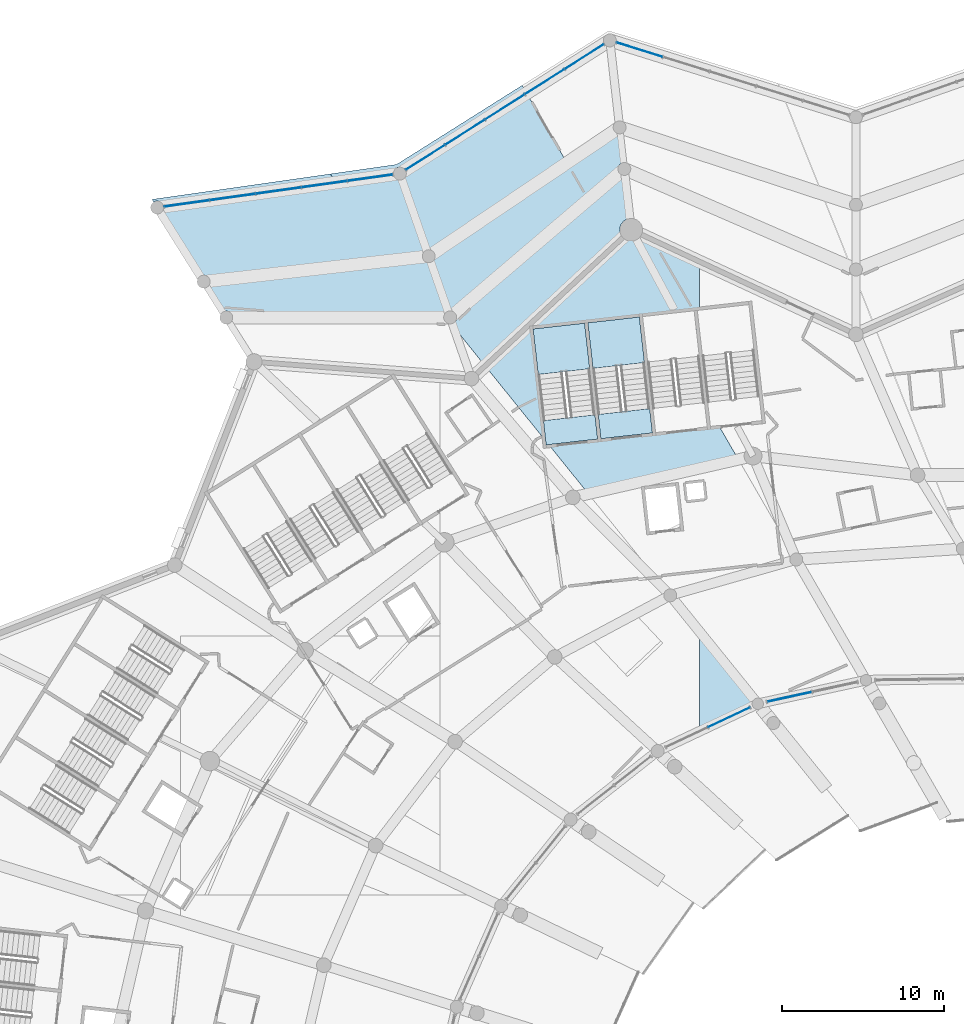
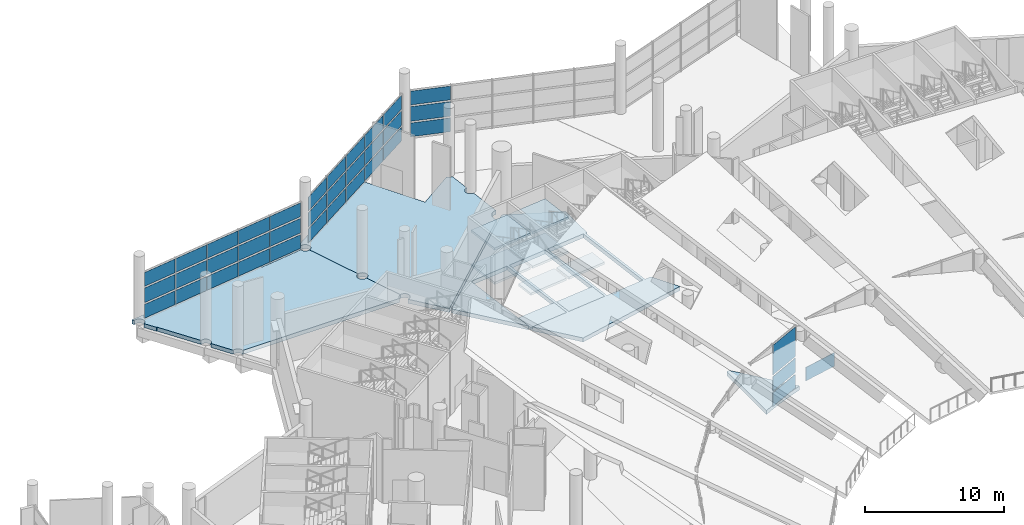
# One storey, part 123 of 249: 37 plates, 12 slabs, 7 elements without a shape of their own.
"""IFC4 building model written with IfcOpenShell, lengths in metres."""

from ifc_helpers import new_model, si_unit, direction, frame, origin, origin_2d, place, context, subcontext, project, spatial, polyline, rectangle, outline, extrude, material, layer, layer_set, type_object, element, aggregate, save


model = new_model("IFC4")

# Units and contexts
model_context = context("Model", 3, precision=1e-05, world=origin(), true_north=direction((0.0, 1.0)))
body_context = subcontext(model_context, "Body", "Model", "MODEL_VIEW")
ifc_project = project(units=[si_unit("LENGTHUNIT", "METRE"), si_unit("AREAUNIT", "SQUARE_METRE"), si_unit("VOLUMEUNIT", "CUBIC_METRE"), si_unit("PLANEANGLEUNIT", "RADIAN"), si_unit("MASSUNIT", "GRAM", prefix="KILO")], contexts=[model_context])

# Site, building, storey
site_placement = place(None, origin())
site = spatial("IfcSite", under=ifc_project, at=site_placement, CompositionType="ELEMENT")
building_placement = place(site_placement, origin())
building = spatial("IfcBuilding", under=site, at=building_placement, Name="Meseta Stadium", CompositionType="ELEMENT")
storey_placement = place(building_placement, frame((0.0, 0.0, 12.0)))
storey = spatial("IfcBuildingStorey", under=building, at=storey_placement, Name="L02", CompositionType="ELEMENT", Elevation=12.0)

# Curtain wall, plate
ifc_material_1 = material(Name="Aluminium", Category="aluminium")
ifc_layer_1 = layer(ifc_material_1, 0.199951171875)
ifc_layer_set_1 = layer_set([ifc_layer_1], Name="Suite glazing curtain wall")
curtain_wall_type_1 = type_object("IfcCurtainWallType", Name="Suite glazing curtain wall", PredefinedType="NOTDEFINED", material=ifc_layer_set_1)
curtain_wall_1_placement = place(storey_placement, origin())
curtain_wall_1 = element("IfcCurtainWall", 1, at=curtain_wall_1_placement, inside=storey, type_object=curtain_wall_type_1, Name="Suite glazing bay 22", PredefinedType="NOTDEFINED")
ifc_material_2 = material(Name="Glass", Category="glass")
ifc_layer_2 = layer(ifc_material_2, 0.035888671875)
ifc_layer_set_2 = layer_set([ifc_layer_2], Name="CW glass panel 36")
plate_type_1 = type_object("IfcPlateType", Name="CW glass panel 36", PredefinedType="CURTAIN_PANEL", material=ifc_layer_set_2)
plate_1_placement = place(storey_placement, frame((-42.43603515625, 76.232177734375, 0.14990234375), z_axis=(0.0, 0.0, 1.0), x_axis=(-0.977070301273, -0.21291694712, 0.0)))
plate_1 = element("IfcPlate", 2, at=plate_1_placement, type_object=plate_type_1, Name="CWS panel 2.1", PredefinedType="CURTAIN_PANEL", context=body_context, shape_type="SweptSolid", body=[
    extrude(rectangle(XDim=2.80810546875, YDim=0.035888671875, at=origin_2d()), origin(), (0.0, 0.0, 1.0), 1.1875),
])
aggregate(curtain_wall_1, [plate_1])

# Curtain wall, plates
curtain_wall_2_placement = place(storey_placement, origin())
curtain_wall_2 = element("IfcCurtainWall", 3, at=curtain_wall_2_placement, inside=storey, type_object=curtain_wall_type_1, Name="Suite glazing bay 23", PredefinedType="NOTDEFINED")
plate_2_placement = place(storey_placement, frame((-46.166259765625, 74.968017578125, 0.14990234375), z_axis=(0.0, 0.0, 1.0), x_axis=(-0.904328409074, -0.426837356076, 0.0)))
plate_2 = element("IfcPlate", 4, at=plate_2_placement, type_object=plate_type_1, Name="CWS panel 1.1", PredefinedType="CURTAIN_PANEL", context=body_context, shape_type="SweptSolid", body=[
    extrude(rectangle(XDim=2.822509765625, YDim=0.035888671875, at=origin_2d()), origin(), (0.0, 0.0, 1.0), 1.1875),
])
plate_3_placement = place(storey_placement, frame((-46.166259765625, 74.968017578125, 1.4873046875), z_axis=(0.0, 0.0, 1.0), x_axis=(-0.904328409074, -0.426837356076, 0.0)))
plate_3 = element("IfcPlate", 5, at=plate_3_placement, type_object=plate_type_1, Name="CWS panel 1.2", PredefinedType="CURTAIN_PANEL", context=body_context, shape_type="SweptSolid", body=[
    extrude(rectangle(XDim=2.822509765625, YDim=0.035888671875, at=origin_2d()), origin(), (0.0, 0.0, 1.0), 1.262451171875),
])
plate_4_placement = place(storey_placement, frame((-46.166259765625, 74.968017578125, 2.89990234375), z_axis=(0.0, 0.0, 1.0), x_axis=(-0.904328409074, -0.426837356076, 0.0)))
plate_4 = element("IfcPlate", 6, at=plate_4_placement, type_object=plate_type_1, Name="CWS panel 1.3", PredefinedType="CURTAIN_PANEL", context=body_context, shape_type="SweptSolid", body=[
    extrude(rectangle(XDim=2.822509765625, YDim=0.035888671875, at=origin_2d()), origin(), (0.0, 0.0, 1.0), 2.60009765625),
])
aggregate(curtain_wall_2, [plate_2, plate_3, plate_4])

# Slabs
ifc_material_3 = material(Name="Concrete C40/50", Category="concrete")
ifc_layer_3 = layer(ifc_material_3, 0.35009765625)
ifc_layer_set_3 = layer_set([ifc_layer_3], Name="Floor slab 350")
slab_type_1 = type_object("IfcSlabType", Name="Floor slab 350", PredefinedType="FLOOR", material=ifc_layer_set_3)
slab_1_placement = place(storey_placement, frame((0.0, 0.0, -0.35009765625)))
element("IfcSlab", 7, at=slab_1_placement, inside=storey, type_object=slab_type_1, Name="Floor slab L02 sector 21 panel 12", PredefinedType="FLOOR", context=body_context, shape_type="SweptSolid", body=[
    extrude(outline(polyline([(-46.7978515625, 92.98095703125), (-47.314208984375, 92.9228515625), (-48.1201171875, 100.077392578125), (-48.0, 100.091064453125), (-48.0, 103.0966796875), (-52.202880859375, 105.0517578125), (-61.21435546875, 96.653076171875), (-57.477294921875, 92.0224609375), (-58.256103515625, 98.935302734375), (-55.076171875, 99.293701171875), (-54.27001953125, 92.138916015625), (-57.296142578125, 91.798095703125), (-54.8447265625, 88.760498046875), (-45.585693359375, 90.8837890625), (-46.7978515625, 92.98095703125)]), holes=[polyline([(-50.692626953125, 92.5419921875), (-51.498779296875, 99.69677734375), (-48.319091796875, 100.05517578125), (-47.5126953125, 92.900390625), (-50.692626953125, 92.5419921875)]), polyline([(-54.87744140625, 99.316162109375), (-51.697509765625, 99.67431640625), (-50.8916015625, 92.519775390625), (-54.0712890625, 92.161376953125), (-54.87744140625, 99.316162109375)])]), origin(), (0.0, 0.0, 1.0), 0.35009765625),
])
slab_2_placement = place(storey_placement, frame((0.0, 0.0, -0.35009765625)))
element("IfcSlab", 8, at=slab_2_placement, inside=storey, type_object=slab_type_1, Name="Floor slab L02 sector 21 panel 13", PredefinedType="FLOOR", context=body_context, shape_type="SweptSolid", body=[
    extrude(outline(polyline([(-46.522216796875, 74.990478515625), (-45.4638671875, 75.41845703125), (-44.389892578125, 75.806396484375), (-47.7744140625, 80.0), (-48.0, 80.0), (-48.0, 74.306396484375), (-47.5634765625, 74.522705078125), (-46.522216796875, 74.990478515625)])), origin(), (0.0, 0.0, 1.0), 0.35009765625),
])
slab_3_placement = place(storey_placement, frame((0.0, 0.0, -0.35009765625)))
element("IfcSlab", 9, at=slab_3_placement, inside=storey, type_object=slab_type_1, Name="Ring floor slab L02 3 part 1 panel 01", PredefinedType="FLOOR", context=body_context, shape_type="SweptSolid", body=[
    extrude(outline(polyline([(-81.239990234375, 106.083984375), (-80.70751953125, 105.236572265625), (-80.673828125, 105.26171875), (-78.75732421875, 102.211669921875), (-78.68505859375, 102.24169921875), (-78.580810546875, 102.25537109375), (-78.476318359375, 102.24169921875), (-78.37890625, 102.201416015625), (-78.29541015625, 102.13720703125), (-78.231201171875, 102.0537109375), (-78.19091796875, 101.956298828125), (-78.18310546875, 101.89697265625), (-78.17724609375, 101.851806640625), (-78.19091796875, 101.747314453125), (-78.231201171875, 101.650146484375), (-78.29541015625, 101.566650390625), (-78.33349609375, 101.537353515625), (-77.36376953125, 99.993896484375), (-77.291748046875, 100.02392578125), (-77.187255859375, 100.03759765625), (-77.082763671875, 100.02392578125), (-76.985595703125, 99.983642578125), (-76.902099609375, 99.91943359375), (-76.837890625, 99.8359375), (-76.797607421875, 99.738525390625), (-76.783935546875, 99.634521484375), (-63.77587890625, 99.64794921875), (-63.762451171875, 99.752685546875), (-63.72216796875, 99.85009765625), (-63.657958984375, 99.93359375), (-63.574462890625, 99.997802734375), (-63.5048828125, 100.0263671875), (-64.5615234375, 103.045654296875), (-64.58935546875, 103.0341796875), (-64.69384765625, 103.020263671875), (-64.798095703125, 103.0341796875), (-64.8955078125, 103.074462890625), (-64.97900390625, 103.138427734375), (-65.043212890625, 103.22216796875), (-65.08349609375, 103.3193359375), (-65.09716796875, 103.423828125), (-65.08349609375, 103.5283203125), (-65.043212890625, 103.62548828125), (-64.97900390625, 103.708984375), (-64.8955078125, 103.773193359375), (-64.826171875, 103.802001953125), (-66.344970703125, 108.142578125), (-66.372802734375, 108.131103515625), (-66.477294921875, 108.1171875), (-66.581787109375, 108.131103515625), (-66.678955078125, 108.17138671875), (-66.7626953125, 108.235595703125), (-66.82666015625, 108.319091796875), (-66.866943359375, 108.416259765625), (-66.87353515625, 108.46533203125), (-70.35400390625, 107.97802734375), (-70.776611328125, 108.501708984375), (-81.77294921875, 106.93212890625), (-81.66748046875, 106.764404296875), (-81.655517578125, 106.773681640625), (-81.55810546875, 106.81396484375), (-81.45361328125, 106.82763671875), (-81.34912109375, 106.81396484375), (-81.251953125, 106.773681640625), (-81.16845703125, 106.70947265625), (-81.104248046875, 106.6259765625), (-81.06396484375, 106.528564453125), (-81.05029296875, 106.42431640625), (-81.06396484375, 106.31982421875), (-81.104248046875, 106.222412109375), (-81.16845703125, 106.138916015625), (-81.239990234375, 106.083984375)])), origin(), (0.0, 0.0, 1.0), 0.35009765625),
])
slab_4_placement = place(storey_placement, frame((0.0, 0.0, -0.35009765625)))
element("IfcSlab", 10, at=slab_4_placement, inside=storey, type_object=slab_type_1, Name="Ring floor slab L02 3 part 1 panel 03", PredefinedType="FLOOR", context=body_context, shape_type="SweptSolid", body=[
    extrude(outline(polyline([(-63.268310546875, 99.258544921875), (-63.3125, 99.252685546875), (-61.30859375, 96.77001953125), (-52.80908203125, 104.69189453125), (-52.814208984375, 104.698486328125), (-52.884765625, 104.868896484375), (-52.908935546875, 105.0517578125), (-52.884765625, 105.234375), (-52.814208984375, 105.40478515625), (-52.7021484375, 105.55078125), (-52.555908203125, 105.6630859375), (-52.385498046875, 105.733642578125), (-52.28125, 105.747314453125), (-52.581298828125, 108.41064453125), (-52.626220703125, 108.40478515625), (-52.73046875, 108.41845703125), (-52.827880859375, 108.458740234375), (-52.911376953125, 108.52294921875), (-52.9755859375, 108.6064453125), (-53.015869140625, 108.703857421875), (-53.029541015625, 108.80810546875), (-53.015869140625, 108.91259765625), (-52.9755859375, 109.010009765625), (-52.911376953125, 109.093505859375), (-52.827880859375, 109.15771484375), (-52.73046875, 109.197998046875), (-52.6708984375, 109.205810546875), (-52.8701171875, 110.974853515625), (-52.9150390625, 110.968994140625), (-53.019287109375, 110.982666015625), (-53.11669921875, 111.02294921875), (-53.2001953125, 111.087158203125), (-53.247314453125, 111.148193359375), (-56.162109375, 109.18115234375), (-58.92919921875, 113.96826171875), (-66.675537109375, 109.087158203125), (-70.776611328125, 108.501708984375), (-70.35400390625, 107.97802734375), (-66.87353515625, 108.46533203125), (-66.880859375, 108.520751953125), (-66.866943359375, 108.625244140625), (-66.82666015625, 108.722412109375), (-66.7626953125, 108.805908203125), (-66.678955078125, 108.8701171875), (-66.581787109375, 108.910400390625), (-66.477294921875, 108.92431640625), (-66.372802734375, 108.910400390625), (-66.275634765625, 108.8701171875), (-66.19189453125, 108.805908203125), (-66.1279296875, 108.722412109375), (-66.087646484375, 108.625244140625), (-66.073974609375, 108.520751953125), (-66.087646484375, 108.416259765625), (-66.1279296875, 108.319091796875), (-66.19189453125, 108.235595703125), (-66.275634765625, 108.17138671875), (-66.344970703125, 108.142578125), (-64.826171875, 103.802001953125), (-64.798095703125, 103.8134765625), (-64.69384765625, 103.8271484375), (-64.58935546875, 103.8134765625), (-64.4921875, 103.773193359375), (-64.408447265625, 103.708984375), (-64.344482421875, 103.62548828125), (-64.30419921875, 103.5283203125), (-64.290283203125, 103.423828125), (-64.30419921875, 103.3193359375), (-64.344482421875, 103.22216796875), (-64.408447265625, 103.138427734375), (-64.4921875, 103.074462890625), (-64.5615234375, 103.045654296875), (-63.5048828125, 100.0263671875), (-63.47705078125, 100.0380859375), (-63.372802734375, 100.0517578125), (-63.268310546875, 100.0380859375), (-63.1708984375, 99.997802734375), (-63.08740234375, 99.93359375), (-63.023193359375, 99.85009765625), (-62.98291015625, 99.752685546875), (-62.96923828125, 99.648193359375), (-62.98291015625, 99.543701171875), (-63.023193359375, 99.446533203125), (-63.08740234375, 99.363037109375), (-63.1708984375, 99.298828125), (-63.268310546875, 99.258544921875)])), origin(), (0.0, 0.0, 1.0), 0.35009765625),
])

# Curtain wall, plates
ifc_material_4 = material(Name="Aluminium", Category="aluminium")
ifc_layer_4 = layer(ifc_material_4, 0.199951171875)
ifc_layer_set_4 = layer_set([ifc_layer_4], Name="Ring shopfront curtain wall")
curtain_wall_type_2 = type_object("IfcCurtainWallType", Name="Ring shopfront curtain wall", PredefinedType="NOTDEFINED", material=ifc_layer_set_4)
curtain_wall_3_placement = place(storey_placement, origin())
curtain_wall_3 = element("IfcCurtainWall", 11, at=curtain_wall_3_placement, inside=storey, type_object=curtain_wall_type_2, Name="Ring glazing L02 F21", PredefinedType="NOTDEFINED")
ifc_material_5 = material(Name="Glass", Category="glass")
ifc_layer_5 = layer(ifc_material_5, 0.035888671875)
ifc_layer_set_5 = layer_set([ifc_layer_5], Name="Ring CW glass panel 36")
plate_type_2 = type_object("IfcPlateType", Name="Ring CW glass panel 36", PredefinedType="CURTAIN_PANEL", material=ifc_layer_set_5)
plate_5_placement = place(storey_placement, frame((-51.68115234375, 116.164794921875, 0.14990234375), z_axis=(0.0, 0.0, 1.0), x_axis=(-0.95460920309, 0.297861157885, 0.0)))
plate_5 = element("IfcPlate", 12, at=plate_5_placement, type_object=plate_type_2, Name="CWR1 panel 5.1", PredefinedType="CURTAIN_PANEL", context=body_context, shape_type="SweptSolid", body=[
    extrude(rectangle(XDim=2.931640625, YDim=0.035888671875, at=origin_2d()), origin(), (0.0, 0.0, 1.0), 1.208251953125),
])
plate_6_placement = place(storey_placement, frame((-51.68115234375, 116.164794921875, 1.50830078125), z_axis=(0.0, 0.0, 1.0), x_axis=(-0.95460920309, 0.297861157885, 0.0)))
plate_6 = element("IfcPlate", 13, at=plate_6_placement, type_object=plate_type_2, Name="CWR1 panel 5.2", PredefinedType="CURTAIN_PANEL", context=body_context, shape_type="SweptSolid", body=[
    extrude(rectangle(XDim=2.931640625, YDim=0.035888671875, at=origin_2d()), origin(), (0.0, 0.0, 1.0), 1.283447265625),
])
plate_7_placement = place(storey_placement, frame((-51.68115234375, 116.164794921875, 2.94189453125), z_axis=(0.0, 0.0, 1.0), x_axis=(-0.95460920309, 0.297861157885, 0.0)))
plate_7 = element("IfcPlate", 14, at=plate_7_placement, type_object=plate_type_2, Name="CWR1 panel 5.3", PredefinedType="CURTAIN_PANEL", context=body_context, shape_type="SweptSolid", body=[
    extrude(rectangle(XDim=2.931640625, YDim=0.035888671875, at=origin_2d()), origin(), (0.0, 0.0, 1.0), 1.208251953125),
])
aggregate(curtain_wall_3, [plate_5, plate_6, plate_7])

curtain_wall_4_placement = place(storey_placement, origin())
curtain_wall_4 = element("IfcCurtainWall", 15, at=curtain_wall_4_placement, inside=storey, type_object=curtain_wall_type_2, Name="Ring glazing L02 F22", PredefinedType="NOTDEFINED")
plate_8_placement = place(storey_placement, frame((-55.098388671875, 115.7373046875, 0.14990234375), z_axis=(0.0, 0.0, 1.0), x_axis=(-0.844491436677, -0.535569055659, 0.0)))
plate_8 = element("IfcPlate", 16, at=plate_8_placement, type_object=plate_type_2, Name="CWR1 panel 1.1", PredefinedType="CURTAIN_PANEL", context=body_context, shape_type="SweptSolid", body=[
    extrude(rectangle(XDim=2.81884765625, YDim=0.035888671875, at=origin_2d()), origin(), (0.0, 0.0, 1.0), 1.208251953125),
])
plate_9_placement = place(storey_placement, frame((-55.098388671875, 115.7373046875, 1.50830078125), z_axis=(0.0, 0.0, 1.0), x_axis=(-0.844491436677, -0.535569055659, 0.0)))
plate_9 = element("IfcPlate", 17, at=plate_9_placement, type_object=plate_type_2, Name="CWR1 panel 1.2", PredefinedType="CURTAIN_PANEL", context=body_context, shape_type="SweptSolid", body=[
    extrude(rectangle(XDim=2.81884765625, YDim=0.035888671875, at=origin_2d()), origin(), (0.0, 0.0, 1.0), 1.283447265625),
])
plate_10_placement = place(storey_placement, frame((-55.098388671875, 115.7373046875, 2.94189453125), z_axis=(0.0, 0.0, 1.0), x_axis=(-0.844491436677, -0.535569055659, 0.0)))
plate_10 = element("IfcPlate", 18, at=plate_10_placement, type_object=plate_type_2, Name="CWR1 panel 1.3", PredefinedType="CURTAIN_PANEL", context=body_context, shape_type="SweptSolid", body=[
    extrude(rectangle(XDim=2.81884765625, YDim=0.035888671875, at=origin_2d()), origin(), (0.0, 0.0, 1.0), 1.208251953125),
])
plate_11_placement = place(storey_placement, frame((-57.5419921875, 114.1875, 0.14990234375), z_axis=(0.0, 0.0, 1.0), x_axis=(-0.844491436677, -0.535569055659, 0.0)))
plate_11 = element("IfcPlate", 19, at=plate_11_placement, type_object=plate_type_2, Name="CWR1 panel 2.1", PredefinedType="CURTAIN_PANEL", context=body_context, shape_type="SweptSolid", body=[
    extrude(rectangle(XDim=2.848876953125, YDim=0.035888671875, at=origin_2d()), origin(), (0.0, 0.0, 1.0), 1.208251953125),
])
plate_12_placement = place(storey_placement, frame((-57.5419921875, 114.1875, 1.50830078125), z_axis=(0.0, 0.0, 1.0), x_axis=(-0.844491436677, -0.535569055659, 0.0)))
plate_12 = element("IfcPlate", 20, at=plate_12_placement, type_object=plate_type_2, Name="CWR1 panel 2.2", PredefinedType="CURTAIN_PANEL", context=body_context, shape_type="SweptSolid", body=[
    extrude(rectangle(XDim=2.848876953125, YDim=0.035888671875, at=origin_2d()), origin(), (0.0, 0.0, 1.0), 1.283447265625),
])
plate_13_placement = place(storey_placement, frame((-57.5419921875, 114.1875, 2.94189453125), z_axis=(0.0, 0.0, 1.0), x_axis=(-0.844491436677, -0.535569055659, 0.0)))
plate_13 = element("IfcPlate", 21, at=plate_13_placement, type_object=plate_type_2, Name="CWR1 panel 2.3", PredefinedType="CURTAIN_PANEL", context=body_context, shape_type="SweptSolid", body=[
    extrude(rectangle(XDim=2.848876953125, YDim=0.035888671875, at=origin_2d()), origin(), (0.0, 0.0, 1.0), 1.208251953125),
])
plate_14_placement = place(storey_placement, frame((-59.99853515625, 112.629638671875, 0.14990234375), z_axis=(0.0, 0.0, 1.0), x_axis=(-0.844491436677, -0.535569055659, 0.0)))
plate_14 = element("IfcPlate", 22, at=plate_14_placement, type_object=plate_type_2, Name="CWR1 panel 3.1", PredefinedType="CURTAIN_PANEL", context=body_context, shape_type="SweptSolid", body=[
    extrude(rectangle(XDim=2.848876953125, YDim=0.035888671875, at=origin_2d()), origin(), (0.0, 0.0, 1.0), 1.208251953125),
])
plate_15_placement = place(storey_placement, frame((-59.99853515625, 112.629638671875, 1.50830078125), z_axis=(0.0, 0.0, 1.0), x_axis=(-0.844491436677, -0.535569055659, 0.0)))
plate_15 = element("IfcPlate", 23, at=plate_15_placement, type_object=plate_type_2, Name="CWR1 panel 3.2", PredefinedType="CURTAIN_PANEL", context=body_context, shape_type="SweptSolid", body=[
    extrude(rectangle(XDim=2.848876953125, YDim=0.035888671875, at=origin_2d()), origin(), (0.0, 0.0, 1.0), 1.283447265625),
])
plate_16_placement = place(storey_placement, frame((-59.99853515625, 112.629638671875, 2.94189453125), z_axis=(0.0, 0.0, 1.0), x_axis=(-0.844491436677, -0.535569055659, 0.0)))
plate_16 = element("IfcPlate", 24, at=plate_16_placement, type_object=plate_type_2, Name="CWR1 panel 3.3", PredefinedType="CURTAIN_PANEL", context=body_context, shape_type="SweptSolid", body=[
    extrude(rectangle(XDim=2.848876953125, YDim=0.035888671875, at=origin_2d()), origin(), (0.0, 0.0, 1.0), 1.208251953125),
])
plate_17_placement = place(storey_placement, frame((-62.454833984375, 111.07177734375, 0.14990234375), z_axis=(0.0, 0.0, 1.0), x_axis=(-0.844491436677, -0.535569055659, 0.0)))
plate_17 = element("IfcPlate", 25, at=plate_17_placement, type_object=plate_type_2, Name="CWR1 panel 4.1", PredefinedType="CURTAIN_PANEL", context=body_context, shape_type="SweptSolid", body=[
    extrude(rectangle(XDim=2.848876953125, YDim=0.035888671875, at=origin_2d()), origin(), (0.0, 0.0, 1.0), 1.208251953125),
])
plate_18_placement = place(storey_placement, frame((-62.454833984375, 111.07177734375, 1.50830078125), z_axis=(0.0, 0.0, 1.0), x_axis=(-0.844491436677, -0.535569055659, 0.0)))
plate_18 = element("IfcPlate", 26, at=plate_18_placement, type_object=plate_type_2, Name="CWR1 panel 4.2", PredefinedType="CURTAIN_PANEL", context=body_context, shape_type="SweptSolid", body=[
    extrude(rectangle(XDim=2.848876953125, YDim=0.035888671875, at=origin_2d()), origin(), (0.0, 0.0, 1.0), 1.283447265625),
])
plate_19_placement = place(storey_placement, frame((-62.454833984375, 111.07177734375, 2.94189453125), z_axis=(0.0, 0.0, 1.0), x_axis=(-0.844491436677, -0.535569055659, 0.0)))
plate_19 = element("IfcPlate", 27, at=plate_19_placement, type_object=plate_type_2, Name="CWR1 panel 4.3", PredefinedType="CURTAIN_PANEL", context=body_context, shape_type="SweptSolid", body=[
    extrude(rectangle(XDim=2.848876953125, YDim=0.035888671875, at=origin_2d()), origin(), (0.0, 0.0, 1.0), 1.208251953125),
])
plate_20_placement = place(storey_placement, frame((-64.898681640625, 109.52197265625, 0.14990234375), z_axis=(0.0, 0.0, 1.0), x_axis=(-0.844491436677, -0.535569055659, 0.0)))
plate_20 = element("IfcPlate", 28, at=plate_20_placement, type_object=plate_type_2, Name="CWR1 panel 5.1", PredefinedType="CURTAIN_PANEL", context=body_context, shape_type="SweptSolid", body=[
    extrude(rectangle(XDim=2.81884765625, YDim=0.035888671875, at=origin_2d()), origin(), (0.0, 0.0, 1.0), 1.208251953125),
])
plate_21_placement = place(storey_placement, frame((-64.898681640625, 109.52197265625, 1.50830078125), z_axis=(0.0, 0.0, 1.0), x_axis=(-0.844491436677, -0.535569055659, 0.0)))
plate_21 = element("IfcPlate", 29, at=plate_21_placement, type_object=plate_type_2, Name="CWR1 panel 5.2", PredefinedType="CURTAIN_PANEL", context=body_context, shape_type="SweptSolid", body=[
    extrude(rectangle(XDim=2.81884765625, YDim=0.035888671875, at=origin_2d()), origin(), (0.0, 0.0, 1.0), 1.283447265625),
])
plate_22_placement = place(storey_placement, frame((-64.898681640625, 109.52197265625, 2.94189453125), z_axis=(0.0, 0.0, 1.0), x_axis=(-0.844491436677, -0.535569055659, 0.0)))
plate_22 = element("IfcPlate", 30, at=plate_22_placement, type_object=plate_type_2, Name="CWR1 panel 5.3", PredefinedType="CURTAIN_PANEL", context=body_context, shape_type="SweptSolid", body=[
    extrude(rectangle(XDim=2.81884765625, YDim=0.035888671875, at=origin_2d()), origin(), (0.0, 0.0, 1.0), 1.208251953125),
])
aggregate(curtain_wall_4, [plate_8, plate_9, plate_10, plate_11, plate_12, plate_13, plate_14, plate_15, plate_16, plate_17, plate_18, plate_19, plate_20, plate_21, plate_22])

curtain_wall_5_placement = place(storey_placement, origin())
curtain_wall_5 = element("IfcCurtainWall", 31, at=curtain_wall_5_placement, inside=storey, type_object=curtain_wall_type_2, Name="Ring glazing L02 F23", PredefinedType="NOTDEFINED")
plate_23_placement = place(storey_placement, frame((-68.306640625, 108.2646484375, 0.14990234375), z_axis=(0.0, 0.0, 1.0), x_axis=(-0.990342456098, -0.13864277713, 0.0)))
plate_23 = element("IfcPlate", 32, at=plate_23_placement, type_object=plate_type_2, Name="CWR1 panel 1.1", PredefinedType="CURTAIN_PANEL", context=body_context, shape_type="SweptSolid", body=[
    extrude(rectangle(XDim=2.7744140625, YDim=0.035888671875, at=origin_2d()), origin(), (0.0, 0.0, 1.0), 1.208251953125),
])
plate_24_placement = place(storey_placement, frame((-68.306640625, 108.2646484375, 1.50830078125), z_axis=(0.0, 0.0, 1.0), x_axis=(-0.990342456098, -0.13864277713, 0.0)))
plate_24 = element("IfcPlate", 33, at=plate_24_placement, type_object=plate_type_2, Name="CWR1 panel 1.2", PredefinedType="CURTAIN_PANEL", context=body_context, shape_type="SweptSolid", body=[
    extrude(rectangle(XDim=2.7744140625, YDim=0.035888671875, at=origin_2d()), origin(), (0.0, 0.0, 1.0), 1.283447265625),
])
plate_25_placement = place(storey_placement, frame((-68.306640625, 108.2646484375, 2.94189453125), z_axis=(0.0, 0.0, 1.0), x_axis=(-0.990342456098, -0.13864277713, 0.0)))
plate_25 = element("IfcPlate", 34, at=plate_25_placement, type_object=plate_type_2, Name="CWR1 panel 1.3", PredefinedType="CURTAIN_PANEL", context=body_context, shape_type="SweptSolid", body=[
    extrude(rectangle(XDim=2.7744140625, YDim=0.035888671875, at=origin_2d()), origin(), (0.0, 0.0, 1.0), 1.208251953125),
])
plate_26_placement = place(storey_placement, frame((-71.128662109375, 107.86962890625, 0.14990234375), z_axis=(0.0, 0.0, 1.0), x_axis=(-0.990342456098, -0.13864277713, 0.0)))
plate_26 = element("IfcPlate", 35, at=plate_26_placement, type_object=plate_type_2, Name="CWR1 panel 2.1", PredefinedType="CURTAIN_PANEL", context=body_context, shape_type="SweptSolid", body=[
    extrude(rectangle(XDim=2.804443359375, YDim=0.035888671875, at=origin_2d()), origin(), (0.0, 0.0, 1.0), 1.208251953125),
])
plate_27_placement = place(storey_placement, frame((-71.128662109375, 107.86962890625, 1.50830078125), z_axis=(0.0, 0.0, 1.0), x_axis=(-0.990342456098, -0.13864277713, 0.0)))
plate_27 = element("IfcPlate", 36, at=plate_27_placement, type_object=plate_type_2, Name="CWR1 panel 2.2", PredefinedType="CURTAIN_PANEL", context=body_context, shape_type="SweptSolid", body=[
    extrude(rectangle(XDim=2.804443359375, YDim=0.035888671875, at=origin_2d()), origin(), (0.0, 0.0, 1.0), 1.283447265625),
])
plate_28_placement = place(storey_placement, frame((-71.128662109375, 107.86962890625, 2.94189453125), z_axis=(0.0, 0.0, 1.0), x_axis=(-0.990342456098, -0.13864277713, 0.0)))
plate_28 = element("IfcPlate", 37, at=plate_28_placement, type_object=plate_type_2, Name="CWR1 panel 2.3", PredefinedType="CURTAIN_PANEL", context=body_context, shape_type="SweptSolid", body=[
    extrude(rectangle(XDim=2.804443359375, YDim=0.035888671875, at=origin_2d()), origin(), (0.0, 0.0, 1.0), 1.208251953125),
])
plate_29_placement = place(storey_placement, frame((-73.96533203125, 107.472412109375, 0.14990234375), z_axis=(0.0, 0.0, 1.0), x_axis=(-0.990342456098, -0.13864277713, 0.0)))
plate_29 = element("IfcPlate", 38, at=plate_29_placement, type_object=plate_type_2, Name="CWR1 panel 3.1", PredefinedType="CURTAIN_PANEL", context=body_context, shape_type="SweptSolid", body=[
    extrude(rectangle(XDim=2.804443359375, YDim=0.035888671875, at=origin_2d()), origin(), (0.0, 0.0, 1.0), 1.208251953125),
])
plate_30_placement = place(storey_placement, frame((-73.96533203125, 107.472412109375, 1.50830078125), z_axis=(0.0, 0.0, 1.0), x_axis=(-0.990342456098, -0.13864277713, 0.0)))
plate_30 = element("IfcPlate", 39, at=plate_30_placement, type_object=plate_type_2, Name="CWR1 panel 3.2", PredefinedType="CURTAIN_PANEL", context=body_context, shape_type="SweptSolid", body=[
    extrude(rectangle(XDim=2.804443359375, YDim=0.035888671875, at=origin_2d()), origin(), (0.0, 0.0, 1.0), 1.283447265625),
])
plate_31_placement = place(storey_placement, frame((-73.96533203125, 107.472412109375, 2.94189453125), z_axis=(0.0, 0.0, 1.0), x_axis=(-0.990342456098, -0.13864277713, 0.0)))
plate_31 = element("IfcPlate", 40, at=plate_31_placement, type_object=plate_type_2, Name="CWR1 panel 3.3", PredefinedType="CURTAIN_PANEL", context=body_context, shape_type="SweptSolid", body=[
    extrude(rectangle(XDim=2.804443359375, YDim=0.035888671875, at=origin_2d()), origin(), (0.0, 0.0, 1.0), 1.208251953125),
])
plate_32_placement = place(storey_placement, frame((-76.80224609375, 107.0751953125, 0.14990234375), z_axis=(0.0, 0.0, 1.0), x_axis=(-0.990342456098, -0.13864277713, 0.0)))
plate_32 = element("IfcPlate", 41, at=plate_32_placement, type_object=plate_type_2, Name="CWR1 panel 4.1", PredefinedType="CURTAIN_PANEL", context=body_context, shape_type="SweptSolid", body=[
    extrude(rectangle(XDim=2.804443359375, YDim=0.035888671875, at=origin_2d()), origin(), (0.0, 0.0, 1.0), 1.208251953125),
])
plate_33_placement = place(storey_placement, frame((-76.80224609375, 107.0751953125, 1.50830078125), z_axis=(0.0, 0.0, 1.0), x_axis=(-0.990342456098, -0.13864277713, 0.0)))
plate_33 = element("IfcPlate", 42, at=plate_33_placement, type_object=plate_type_2, Name="CWR1 panel 4.2", PredefinedType="CURTAIN_PANEL", context=body_context, shape_type="SweptSolid", body=[
    extrude(rectangle(XDim=2.804443359375, YDim=0.035888671875, at=origin_2d()), origin(), (0.0, 0.0, 1.0), 1.283447265625),
])
plate_34_placement = place(storey_placement, frame((-76.80224609375, 107.0751953125, 2.94189453125), z_axis=(0.0, 0.0, 1.0), x_axis=(-0.990342456098, -0.13864277713, 0.0)))
plate_34 = element("IfcPlate", 43, at=plate_34_placement, type_object=plate_type_2, Name="CWR1 panel 4.3", PredefinedType="CURTAIN_PANEL", context=body_context, shape_type="SweptSolid", body=[
    extrude(rectangle(XDim=2.804443359375, YDim=0.035888671875, at=origin_2d()), origin(), (0.0, 0.0, 1.0), 1.208251953125),
])
plate_35_placement = place(storey_placement, frame((-79.624267578125, 106.68017578125, 0.14990234375), z_axis=(0.0, 0.0, 1.0), x_axis=(-0.990342456098, -0.13864277713, 0.0)))
plate_35 = element("IfcPlate", 44, at=plate_35_placement, type_object=plate_type_2, Name="CWR1 panel 5.1", PredefinedType="CURTAIN_PANEL", context=body_context, shape_type="SweptSolid", body=[
    extrude(rectangle(XDim=2.7744140625, YDim=0.035888671875, at=origin_2d()), origin(), (0.0, 0.0, 1.0), 1.208251953125),
])
plate_36_placement = place(storey_placement, frame((-79.624267578125, 106.68017578125, 1.50830078125), z_axis=(0.0, 0.0, 1.0), x_axis=(-0.990342456098, -0.13864277713, 0.0)))
plate_36 = element("IfcPlate", 45, at=plate_36_placement, type_object=plate_type_2, Name="CWR1 panel 5.2", PredefinedType="CURTAIN_PANEL", context=body_context, shape_type="SweptSolid", body=[
    extrude(rectangle(XDim=2.7744140625, YDim=0.035888671875, at=origin_2d()), origin(), (0.0, 0.0, 1.0), 1.283447265625),
])
plate_37_placement = place(storey_placement, frame((-79.624267578125, 106.68017578125, 2.94189453125), z_axis=(0.0, 0.0, 1.0), x_axis=(-0.990342456098, -0.13864277713, 0.0)))
plate_37 = element("IfcPlate", 46, at=plate_37_placement, type_object=plate_type_2, Name="CWR1 panel 5.3", PredefinedType="CURTAIN_PANEL", context=body_context, shape_type="SweptSolid", body=[
    extrude(rectangle(XDim=2.7744140625, YDim=0.035888671875, at=origin_2d()), origin(), (0.0, 0.0, 1.0), 1.208251953125),
])
aggregate(curtain_wall_5, [plate_23, plate_24, plate_25, plate_26, plate_27, plate_28, plate_29, plate_30, plate_31, plate_32, plate_33, plate_34, plate_35, plate_36, plate_37])

# Stair, slabs
ifc_material_6 = material(Name="Concrete C40/50", Category="concrete")
stair_type = type_object("IfcStairType", Name="Exit stair 4 flights 150 mm risers", PredefinedType="HALF_TURN_STAIR", material=ifc_material_6)
stair_1_placement = place(storey_placement, origin())
stair_1 = element("IfcStair", 47, at=stair_1_placement, inside=storey, type_object=stair_type, Name="ST47 L02", PredefinedType="HALF_TURN_STAIR")
ifc_material_7 = material(Name="Concrete C40/50", Category="concrete")
ifc_layer_6 = layer(ifc_material_7, 0.199951171875)
ifc_layer_set_6 = layer_set([ifc_layer_6], Name="Stair landing 200")
slab_type_2 = type_object("IfcSlabType", Name="Stair landing 200", PredefinedType="LANDING", material=ifc_layer_set_6)
slab_5_placement = place(storey_placement, frame((0.0, 0.0, 1.300048828125)))
slab_5 = element("IfcSlab", 48, at=slab_5_placement, type_object=slab_type_2, Name="ST47 L02 landing 1", PredefinedType="LANDING", context=body_context, shape_type="SweptSolid", body=[
    extrude(outline(polyline([(-51.380615234375, 96.8623046875), (-51.697509765625, 99.67431640625), (-54.87744140625, 99.316162109375), (-54.560546875, 96.50390625), (-51.380615234375, 96.8623046875)])), origin(), (0.0, 0.0, 1.0), 0.199951171875),
])
slab_6_placement = place(storey_placement, frame((0.0, 0.0, 2.800048828125)))
slab_6 = element("IfcSlab", 49, at=slab_6_placement, type_object=slab_type_2, Name="ST47 L02 landing 2", PredefinedType="LANDING", context=body_context, shape_type="SweptSolid", body=[
    extrude(outline(polyline([(-50.891357421875, 92.519775390625), (-51.060546875, 94.020263671875), (-54.240478515625, 93.661865234375), (-54.0712890625, 92.161376953125), (-50.891357421875, 92.519775390625)])), origin(), (0.0, 0.0, 1.0), 0.199951171875),
])
slab_7_placement = place(storey_placement, frame((0.0, 0.0, 4.300048828125)))
slab_7 = element("IfcSlab", 50, at=slab_7_placement, type_object=slab_type_2, Name="ST47 L02 landing 3", PredefinedType="LANDING", context=body_context, shape_type="SweptSolid", body=[
    extrude(outline(polyline([(-51.380615234375, 96.8623046875), (-51.697509765625, 99.67431640625), (-54.87744140625, 99.316162109375), (-54.560546875, 96.50390625), (-51.380615234375, 96.8623046875)])), origin(), (0.0, 0.0, 1.0), 0.199951171875),
])
slab_8_placement = place(storey_placement, frame((0.0, 0.0, -0.199951171875)))
slab_8 = element("IfcSlab", 51, at=slab_8_placement, type_object=slab_type_2, Name="ST47 L02 landing 4", PredefinedType="LANDING", context=body_context, shape_type="SweptSolid", body=[
    extrude(outline(polyline([(-50.891357421875, 92.519775390625), (-51.060546875, 94.020263671875), (-54.240478515625, 93.661865234375), (-54.0712890625, 92.161376953125), (-50.891357421875, 92.519775390625)])), origin(), (0.0, 0.0, 1.0), 0.199951171875),
])
aggregate(stair_1, [slab_5, slab_6, slab_7, slab_8])

stair_2_placement = place(storey_placement, origin())
stair_2 = element("IfcStair", 52, at=stair_2_placement, inside=storey, type_object=stair_type, Name="ST48 L02", PredefinedType="HALF_TURN_STAIR")
slab_9_placement = place(storey_placement, frame((0.0, 0.0, 1.300048828125)))
slab_9 = element("IfcSlab", 53, at=slab_9_placement, type_object=slab_type_2, Name="ST48 L02 landing 1", PredefinedType="LANDING", context=body_context, shape_type="SweptSolid", body=[
    extrude(outline(polyline([(-54.75927734375, 96.4814453125), (-55.076171875, 99.293701171875), (-58.256103515625, 98.935546875), (-57.939208984375, 96.123291015625), (-54.75927734375, 96.4814453125)])), origin(), (0.0, 0.0, 1.0), 0.199951171875),
])
slab_10_placement = place(storey_placement, frame((0.0, 0.0, 2.800048828125)))
slab_10 = element("IfcSlab", 54, at=slab_10_placement, type_object=slab_type_2, Name="ST48 L02 landing 2", PredefinedType="LANDING", context=body_context, shape_type="SweptSolid", body=[
    extrude(outline(polyline([(-54.27001953125, 92.138916015625), (-54.439208984375, 93.639404296875), (-57.618896484375, 93.28125), (-57.449951171875, 91.78076171875), (-54.27001953125, 92.138916015625)])), origin(), (0.0, 0.0, 1.0), 0.199951171875),
])
slab_11_placement = place(storey_placement, frame((0.0, 0.0, 4.300048828125)))
slab_11 = element("IfcSlab", 55, at=slab_11_placement, type_object=slab_type_2, Name="ST48 L02 landing 3", PredefinedType="LANDING", context=body_context, shape_type="SweptSolid", body=[
    extrude(outline(polyline([(-54.75927734375, 96.4814453125), (-55.076171875, 99.293701171875), (-58.256103515625, 98.935546875), (-57.939208984375, 96.123291015625), (-54.75927734375, 96.4814453125)])), origin(), (0.0, 0.0, 1.0), 0.199951171875),
])
slab_12_placement = place(storey_placement, frame((0.0, 0.0, -0.199951171875)))
slab_12 = element("IfcSlab", 56, at=slab_12_placement, type_object=slab_type_2, Name="ST48 L02 landing 4", PredefinedType="LANDING", context=body_context, shape_type="SweptSolid", body=[
    extrude(outline(polyline([(-54.27001953125, 92.138916015625), (-54.439208984375, 93.639404296875), (-57.618896484375, 93.28125), (-57.449951171875, 91.78076171875), (-54.27001953125, 92.138916015625)])), origin(), (0.0, 0.0, 1.0), 0.199951171875),
])
aggregate(stair_2, [slab_9, slab_10, slab_11, slab_12])

save(model, "model.ifc")
